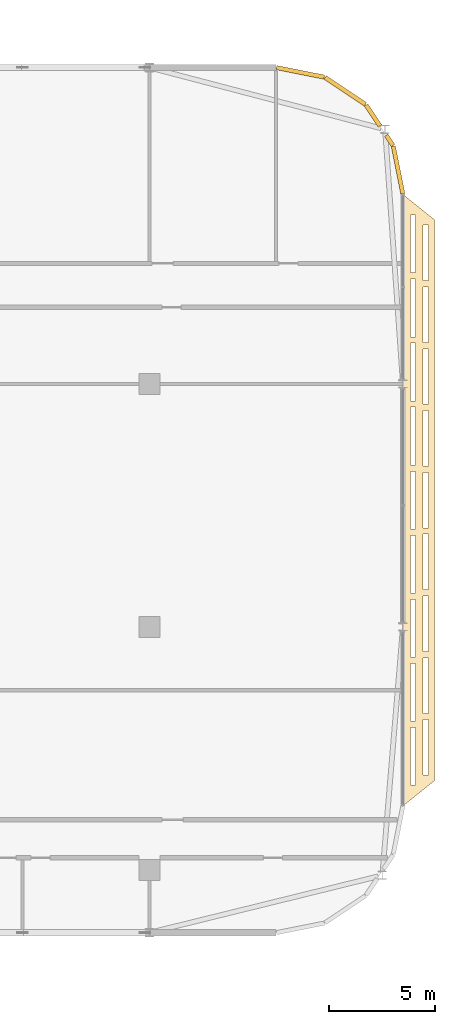
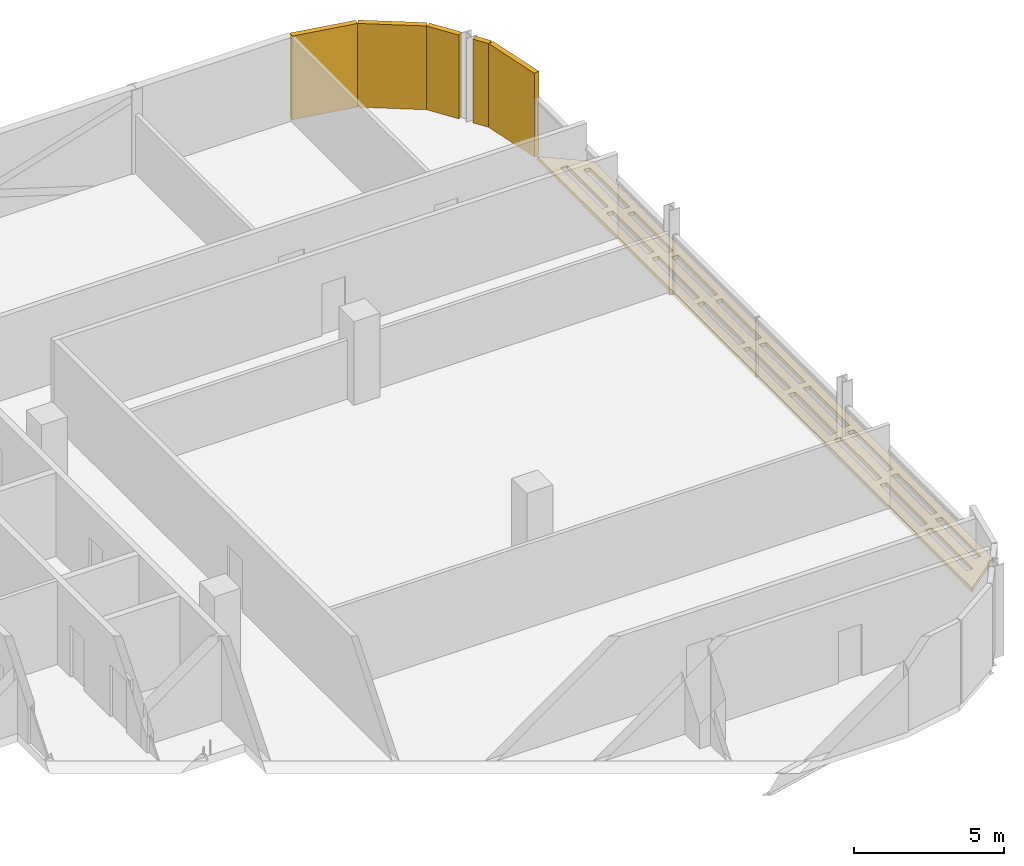
# One storey, part 33 of 33: 6 coverings.
"""IFC4 building model written with IfcOpenShell, lengths in metres."""

from ifc_helpers import new_model, si_unit, direction, frame, origin, origin_2d, place, context, subcontext, project, spatial, polyline, rectangle, outline, extrude, material, layer, layer_set, type_object, element, save


model = new_model("IFC4")

# Units and contexts
model_context = context("Model", 3, precision=1e-05, world=origin(), true_north=direction((0.0, 1.0)))
body_context = subcontext(model_context, "Body", "Model", "MODEL_VIEW")
ifc_project = project(units=[si_unit("LENGTHUNIT", "METRE"), si_unit("AREAUNIT", "SQUARE_METRE"), si_unit("VOLUMEUNIT", "CUBIC_METRE"), si_unit("PLANEANGLEUNIT", "RADIAN"), si_unit("MASSUNIT", "GRAM", prefix="KILO")], contexts=[model_context])

# Site, building, storey
site_placement = place(None, origin())
site = spatial("IfcSite", under=ifc_project, at=site_placement, CompositionType="ELEMENT")
building_placement = place(site_placement, origin())
building = spatial("IfcBuilding", under=site, at=building_placement, Name="Mahtab Terrace Research Tower", CompositionType="ELEMENT")
storey_placement = place(building_placement, frame((0.0, 0.0, 255.199951171875)))
storey = spatial("IfcBuildingStorey", under=building, at=storey_placement, Name="L62", CompositionType="ELEMENT", Elevation=255.199951171875)

# Coverings
ifc_material_1 = material(Name="Black aluminium cladding panel", Category="aluminium")
ifc_layer_1 = layer(ifc_material_1, 0.199951171875)
ifc_layer_set_1 = layer_set([ifc_layer_1], Name="Black metal corner cladding 200")
covering_type_1 = type_object("IfcCoveringType", Name="Black metal corner cladding 200", PredefinedType="CLADDING", material=ifc_layer_set_1)
covering_1_placement = place(storey_placement, frame((53.372314453125, 23.0244140625, 0.0), z_axis=(0.0, 0.0, 1.0), x_axis=(-0.555291490808, 0.831655794326, 0.0)))
element("IfcCovering", 1, at=covering_1_placement, inside=storey, type_object=covering_type_1, Name="Corner cladding L62 0", PredefinedType="CLADDING", context=body_context, shape_type="SweptSolid", body=[
    extrude(rectangle(XDim=0.57470703125, YDim=0.199951171875, at=origin_2d()), origin(), (0.0, 0.0, 1.0), 3.39990234375),
])
covering_2_placement = place(storey_placement, frame((52.584716796875, 24.2041015625, 0.0), z_axis=(0.0, 0.0, 1.0), x_axis=(-0.555291490808, 0.831655794326, 0.0)))
element("IfcCovering", 2, at=covering_2_placement, inside=storey, type_object=covering_type_1, Name="Corner cladding L62 1", PredefinedType="CLADDING", context=body_context, shape_type="SweptSolid", body=[
    extrude(rectangle(XDim=1.19140625, YDim=0.199951171875, at=origin_2d()), origin(), (0.0, 0.0, 1.0), 3.39990234375),
])
for number, where, z_axis, x_axis, name in (
    (3, (51.26953125, 25.365966796875, 0.0), (0.0, 0.0, 1.0), (-0.831655794326, 0.555291490808, 0.0), "Corner cladding L62 2"),
    (4, (49.14794921875, 26.244384765625, 0.0), (0.0, 0.0, 1.0), (-0.980760981187, 0.195212442692, 0.0), "Corner cladding L62 3"),
    (5, (53.771484375, 21.62109375, 0.0), (0.0, 0.0, 1.0), (-0.195212442692, 0.980760981187, 0.0), "Corner cladding L62 41"),
):
    element("IfcCovering", number, at=place(storey_placement, frame(where, z_axis=z_axis, x_axis=x_axis)), inside=storey, type_object=covering_type_1, Name=name, PredefinedType="CLADDING", context=body_context, shape_type="SweptSolid", body=[
        extrude(rectangle(XDim=2.30126953125, YDim=0.199951171875, at=origin_2d()), origin(), (0.0, 0.0, 1.0), 3.39990234375),
    ])
ifc_material_2 = material(Name="Black anodised aluminium", Category="aluminium")
ifc_layer_2 = layer(ifc_material_2, 0.14990234375)
ifc_layer_set_2 = layer_set([ifc_layer_2], Name="Horizontal sunshade band")
covering_type_2 = type_object("IfcCoveringType", Name="Horizontal sunshade band", PredefinedType="CLADDING", material=ifc_layer_set_2)
covering_3_placement = place(storey_placement, frame((0.0, 0.0, -0.14990234375)))
element("IfcCovering", 6, at=covering_3_placement, inside=storey, type_object=covering_type_2, Name="Sunshade band L62 38", PredefinedType="CLADDING", context=body_context, shape_type="SweptSolid", body=[
    extrude(outline(polyline([(54.0, -8.472900390625), (54.0, 20.472900390625), (55.5, 19.27294921875), (55.5, -7.27294921875), (54.0, -8.472900390625)]), holes=[polyline([(54.35009765625, -7.492919921875), (54.35009765625, -4.760986328125), (54.60009765625, -4.760986328125), (54.60009765625, -7.492919921875), (54.35009765625, -7.492919921875)]), polyline([(54.35009765625, -4.4609375), (54.35009765625, -1.72900390625), (54.60009765625, -1.72900390625), (54.60009765625, -4.4609375), (54.35009765625, -4.4609375)]), polyline([(54.35009765625, -1.428955078125), (54.35009765625, 1.302001953125), (54.60009765625, 1.302001953125), (54.60009765625, -1.428955078125), (54.35009765625, -1.428955078125)]), polyline([(54.35009765625, 1.60205078125), (54.35009765625, 4.333984375), (54.60009765625, 4.333984375), (54.60009765625, 1.60205078125), (54.35009765625, 1.60205078125)]), polyline([(54.35009765625, 4.634033203125), (54.35009765625, 7.365966796875), (54.60009765625, 7.365966796875), (54.60009765625, 4.634033203125), (54.35009765625, 4.634033203125)]), polyline([(54.35009765625, 7.666015625), (54.35009765625, 10.39794921875), (54.60009765625, 10.39794921875), (54.60009765625, 7.666015625), (54.35009765625, 7.666015625)]), polyline([(54.35009765625, 10.697998046875), (54.35009765625, 13.428955078125), (54.60009765625, 13.428955078125), (54.60009765625, 10.697998046875), (54.35009765625, 10.697998046875)]), polyline([(54.35009765625, 13.72900390625), (54.35009765625, 16.4609375), (54.60009765625, 16.4609375), (54.60009765625, 13.72900390625), (54.35009765625, 13.72900390625)]), polyline([(54.35009765625, 16.760986328125), (54.35009765625, 19.492919921875), (54.60009765625, 19.492919921875), (54.60009765625, 16.760986328125), (54.35009765625, 16.760986328125)]), polyline([(54.949951171875, -7.012939453125), (54.949951171875, -4.387939453125), (55.199951171875, -4.387939453125), (55.199951171875, -7.012939453125), (54.949951171875, -7.012939453125)]), polyline([(54.949951171875, -4.087890625), (54.949951171875, -1.462890625), (55.199951171875, -1.462890625), (55.199951171875, -4.087890625), (54.949951171875, -4.087890625)]), polyline([(54.949951171875, -1.1630859375), (54.949951171875, 1.4619140625), (55.199951171875, 1.4619140625), (55.199951171875, -1.1630859375), (54.949951171875, -1.1630859375)]), polyline([(54.949951171875, 1.761962890625), (54.949951171875, 4.386962890625), (55.199951171875, 4.386962890625), (55.199951171875, 1.761962890625), (54.949951171875, 1.761962890625)]), polyline([(54.949951171875, 4.68701171875), (54.949951171875, 7.31298828125), (55.199951171875, 7.31298828125), (55.199951171875, 4.68701171875), (54.949951171875, 4.68701171875)]), polyline([(54.949951171875, 7.613037109375), (54.949951171875, 10.238037109375), (55.199951171875, 10.238037109375), (55.199951171875, 7.613037109375), (54.949951171875, 7.613037109375)]), polyline([(54.949951171875, 10.5380859375), (54.949951171875, 13.1630859375), (55.199951171875, 13.1630859375), (55.199951171875, 10.5380859375), (54.949951171875, 10.5380859375)]), polyline([(54.949951171875, 13.462890625), (54.949951171875, 16.087890625), (55.199951171875, 16.087890625), (55.199951171875, 13.462890625), (54.949951171875, 13.462890625)]), polyline([(54.949951171875, 16.387939453125), (54.949951171875, 19.012939453125), (55.199951171875, 19.012939453125), (55.199951171875, 16.387939453125), (54.949951171875, 16.387939453125)])]), origin(), (0.0, 0.0, 1.0), 0.14990234375),
])

save(model, "model.ifc")
